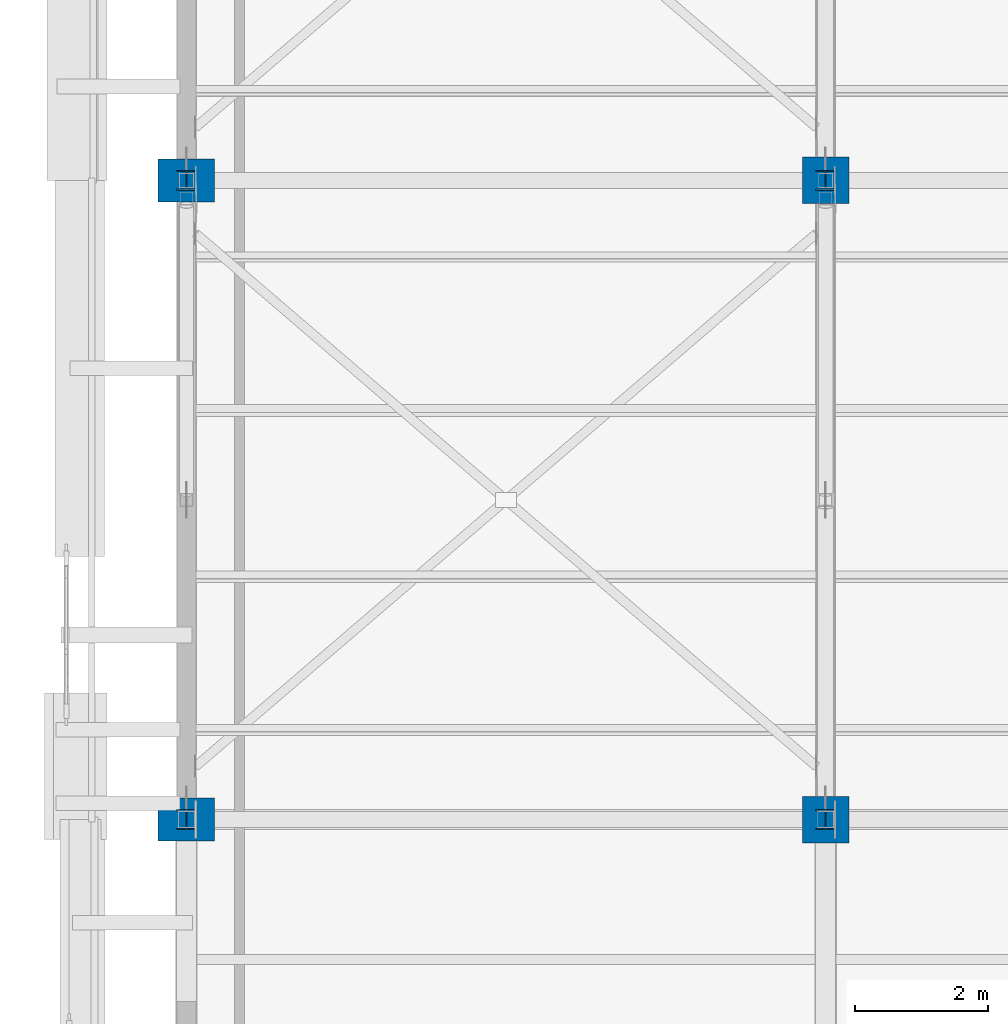
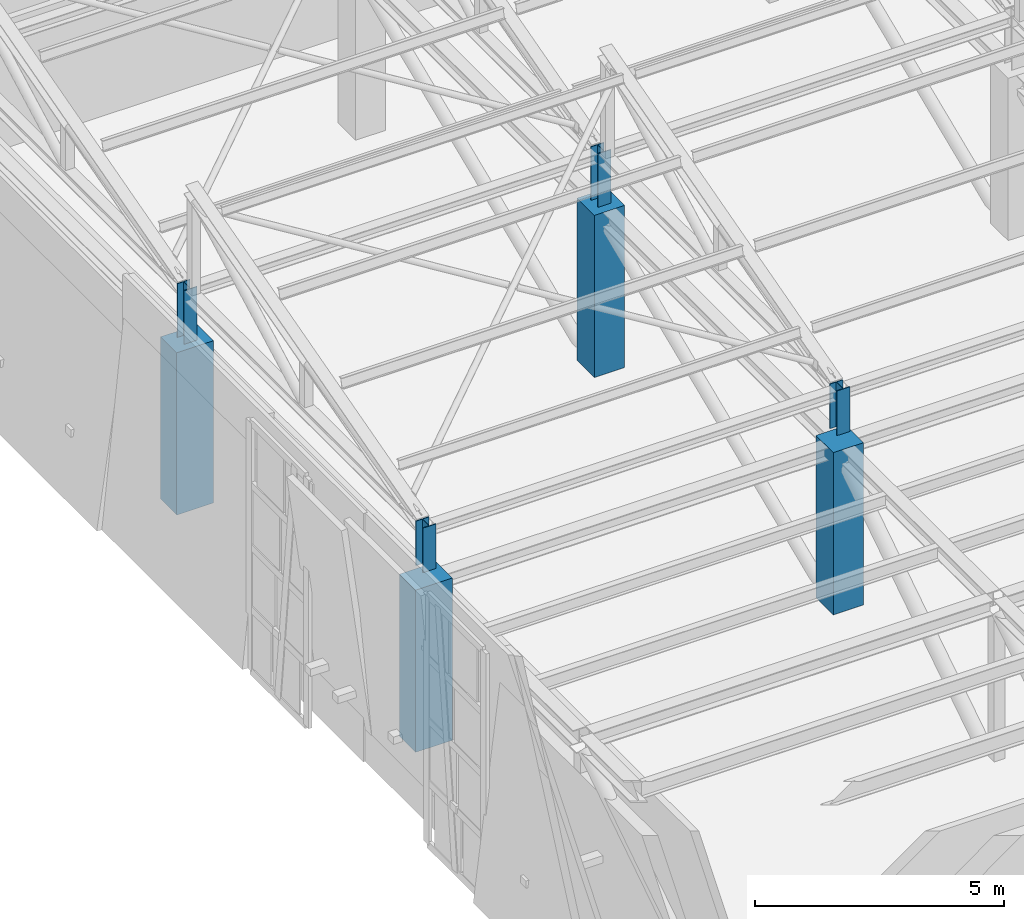
# One storey, part 1 of 71: 8 columns.
"""IFC4 building model written with IfcOpenShell, lengths in metres."""

from ifc_helpers import new_model, si_unit, direction, frame, origin, origin_2d, place, context, subcontext, project, spatial, rectangle, i_section, extrude, material, material_profile, profile_set, type_object, element, save


model = new_model("IFC4")

# Units and contexts
model_context = context("Model", 3, precision=1e-05, world=origin(), true_north=direction((0.0, 1.0)))
body_context = subcontext(model_context, "Body", "Model", "MODEL_VIEW")
ifc_project = project(units=[si_unit("LENGTHUNIT", "METRE"), si_unit("AREAUNIT", "SQUARE_METRE"), si_unit("VOLUMEUNIT", "CUBIC_METRE"), si_unit("PLANEANGLEUNIT", "RADIAN"), si_unit("MASSUNIT", "GRAM", prefix="KILO")], contexts=[model_context])

# Site, building, storey
site_placement = place(None, origin())
site = spatial("IfcSite", under=ifc_project, at=site_placement, CompositionType="ELEMENT")
building_placement = place(site_placement, origin())
building = spatial("IfcBuilding", under=site, at=building_placement, Name="Bempovik Park Faculty of Sciences", CompositionType="ELEMENT")
storey_placement = place(building_placement, frame((0.0, 0.0, 14.10009765625)))
storey = spatial("IfcBuildingStorey", under=building, at=storey_placement, Name="L03", CompositionType="ELEMENT", Elevation=14.10009765625)

# Columns
ifc_material_1 = material(Name="Steel S355", Category="steel")
ifc_material_profile_1 = material_profile(ifc_material_1, i_section(OverallWidth=0.300048828125, OverallDepth=0.300048828125, WebThickness=0.010986328125, FlangeThickness=0.01904296875, at=origin_2d()), Name="HEB 300")
ifc_profile_set_1 = profile_set([ifc_material_profile_1], Name="Steel S355")
column_type_1 = type_object("IfcColumnType", Name="C-14 HEB 300", PredefinedType="COLUMN", material=ifc_profile_set_1)
column_1_placement = place(storey_placement, frame((60.0, 19.800048828125, 4.205810546875), z_axis=(0.0, 0.0, 1.0), x_axis=(1.0, 0.0, 0.0)))
element("IfcColumn", 1, at=column_1_placement, inside=storey, type_object=column_type_1, Name="Sawtooth Clerestory Steel Column V1 (60.0,19.8)", PredefinedType="COLUMN", context=body_context, shape_type="SweptSolid", body=[
    extrude(i_section(OverallWidth=0.300048828125, OverallDepth=0.300048828125, WebThickness=0.010986328125, FlangeThickness=0.01904296875, at=origin_2d()), origin(), (0.0, 0.0, 1.0), 1.093994140625),
])
column_2_placement = place(storey_placement, frame((60.0, 29.39990234375, 3.98583984375), z_axis=(0.0, 0.0, 1.0), x_axis=(1.0, 0.0, 0.0)))
element("IfcColumn", 2, at=column_2_placement, inside=storey, type_object=column_type_1, Name="Sawtooth Clerestory Steel Column V1 (60.0,29.4)", PredefinedType="COLUMN", context=body_context, shape_type="SweptSolid", body=[
    extrude(i_section(OverallWidth=0.300048828125, OverallDepth=0.300048828125, WebThickness=0.010986328125, FlangeThickness=0.01904296875, at=origin_2d()), origin(), (0.0, 0.0, 1.0), 1.31396484375),
])
column_3_placement = place(storey_placement, frame((69.60009765625, 19.800048828125, 4.205810546875), z_axis=(0.0, 0.0, 1.0), x_axis=(1.0, 0.0, 0.0)))
element("IfcColumn", 3, at=column_3_placement, inside=storey, type_object=column_type_1, Name="Sawtooth Clerestory Steel Column V1 (69.6,19.8)", PredefinedType="COLUMN", context=body_context, shape_type="SweptSolid", body=[
    extrude(i_section(OverallWidth=0.300048828125, OverallDepth=0.300048828125, WebThickness=0.010986328125, FlangeThickness=0.01904296875, at=origin_2d()), origin(), (0.0, 0.0, 1.0), 1.093994140625),
])
column_4_placement = place(storey_placement, frame((69.60009765625, 29.39990234375, 3.98583984375), z_axis=(0.0, 0.0, 1.0), x_axis=(1.0, 0.0, 0.0)))
element("IfcColumn", 4, at=column_4_placement, inside=storey, type_object=column_type_1, Name="Sawtooth Clerestory Steel Column V1 (69.6,29.4)", PredefinedType="COLUMN", context=body_context, shape_type="SweptSolid", body=[
    extrude(i_section(OverallWidth=0.300048828125, OverallDepth=0.300048828125, WebThickness=0.010986328125, FlangeThickness=0.01904296875, at=origin_2d()), origin(), (0.0, 0.0, 1.0), 1.31396484375),
])
ifc_material_2 = material(Name="Concrete C40/50", Category="concrete")
ifc_material_profile_2 = material_profile(ifc_material_2, rectangle(XDim=0.699951171875, YDim=0.699951171875, at=origin_2d()), Name="RC 700x700")
ifc_profile_set_2 = profile_set([ifc_material_profile_2], Name="Concrete C40/50")
column_type_2 = type_object("IfcColumnType", Name="C-34 RC 700x700", PredefinedType="COLUMN", material=ifc_profile_set_2)
for number, where, z_axis, x_axis, name in (
    (5, (69.60009765625, 19.800048828125, 0.0), (0.0, 0.0, 1.0), (1.0, 0.0, 0.0), "L03 Structural Column (69.6,19.8)"),
    (6, (69.60009765625, 29.39990234375, 0.0), (0.0, 0.0, 1.0), (1.0, 0.0, 0.0), "L03 Structural Column (69.6,29.4)"),
):
    element("IfcColumn", number, at=place(storey_placement, frame(where, z_axis=z_axis, x_axis=x_axis)), inside=storey, type_object=column_type_2, Name=name, PredefinedType="COLUMN", context=body_context, shape_type="SweptSolid", body=[
        extrude(rectangle(XDim=0.699951171875, YDim=0.699951171875, at=origin_2d()), origin(), (0.0, 0.0, 1.0), 3.97998046875),
    ])
ifc_material_profile_3 = material_profile(ifc_material_2, rectangle(XDim=0.85009765625, YDim=0.64990234375, at=origin_2d()), Name="RC 850x650")
ifc_profile_set_3 = profile_set([ifc_material_profile_3], Name="Concrete C40/50")
column_type_3 = type_object("IfcColumnType", Name="C-71 RC 850x650", PredefinedType="COLUMN", material=ifc_profile_set_3)
for number, where, z_axis, x_axis, name in (
    (7, (60.0, 19.800048828125, 0.0), (0.0, 0.0, 1.0), (1.0, 0.0, 0.0), "L03 Structural Column (60.0,19.8)"),
    (8, (60.0, 29.39990234375, 0.0), (0.0, 0.0, 1.0), (1.0, 0.0, 0.0), "L03 Structural Column (60.0,29.4)"),
):
    element("IfcColumn", number, at=place(storey_placement, frame(where, z_axis=z_axis, x_axis=x_axis)), inside=storey, type_object=column_type_3, Name=name, PredefinedType="COLUMN", context=body_context, shape_type="SweptSolid", body=[
        extrude(rectangle(XDim=0.85009765625, YDim=0.64990234375, at=origin_2d()), origin(), (0.0, 0.0, 1.0), 3.97998046875),
    ])

save(model, "model.ifc")
